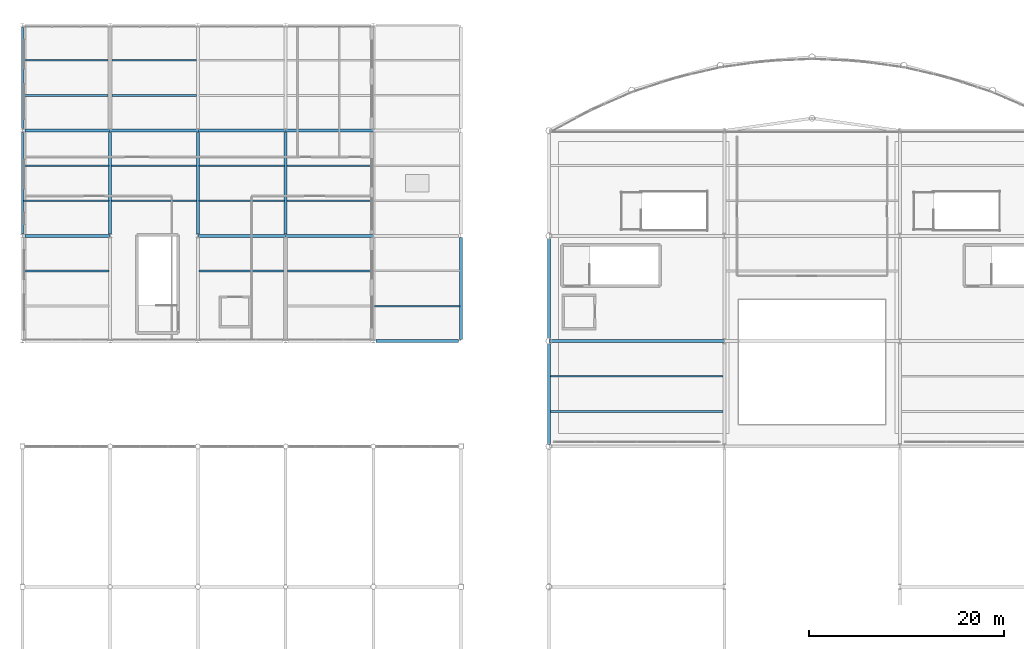
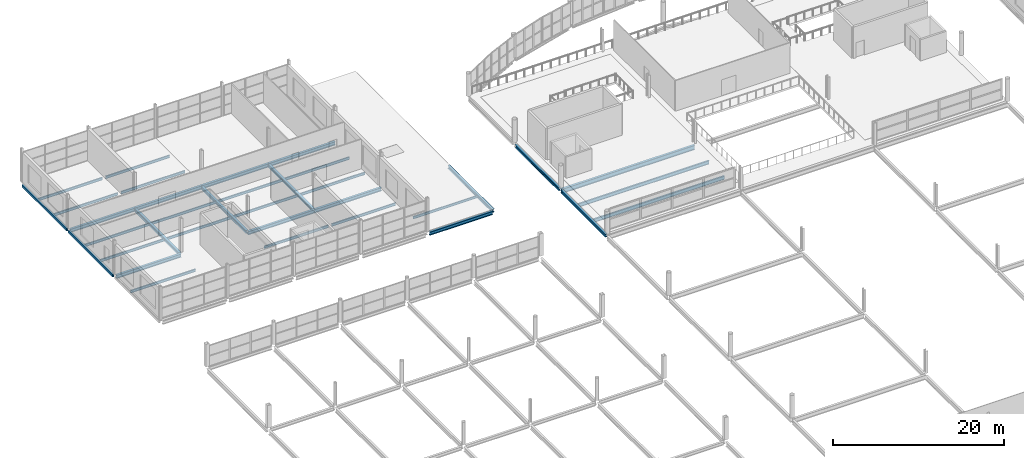
# One storey, part 54 of 134: 35 beams.
"""IFC4 building model written with IfcOpenShell, lengths in metres."""

import ifcopenshell
import ifcopenshell.guid

model = None  # the IFC model being written
_history = None  # IfcOwnerHistory: only IFC2X3 demands one
_inside = {}  # id of a spatial element -> (the spatial element, [elements in it])
_under = {}  # id of a project, library or spatial element -> (it, [spatial elements below it])
_declared = {}  # id of a project -> (the project, [libraries it declares])
_typed = {}  # id of a type object -> (the type object, [elements of that type])
_made_of = {}  # id of a material, layer set ... -> (it, [elements and type objects made of it])


def new_model(schema):
    """Start an empty IFC model of exactly this schema.

    Asked for "IFC4X3", IfcOpenShell would pick the latest addendum, in which some entities
    have other attributes; the version numbers below select the first issue.
    IFC2X3 requires an IfcOwnerHistory on every rooted entity: one is made here for all.
    """
    global model, _history
    if schema == "IFC4X3":
        model = ifcopenshell.file(schema_version=(4, 3, 0, 0))
    else:
        model = ifcopenshell.file(schema=schema)
    _inside.clear()
    _under.clear()
    _declared.clear()
    _typed.clear()
    _made_of.clear()
    _history = None
    if model.schema == "IFC2X3":
        org = make("IfcOrganization", Name="unknown")
        user = make(
            "IfcPersonAndOrganization",
            ThePerson=make("IfcPerson", FamilyName="unknown"),
            TheOrganization=org,
        )
        app = make(
            "IfcApplication",
            ApplicationDeveloper=org,
            Version="unknown",
            ApplicationFullName="unknown",
            ApplicationIdentifier="unknown",
        )
        _history = make(
            "IfcOwnerHistory",
            OwningUser=user,
            OwningApplication=app,
            ChangeAction="ADDED",
            CreationDate=0,
        )
    return model


def make(cls, **values):
    """One entity of the class cls with the attributes given. An attribute that is None is left unset."""
    return model.create_entity(
        cls, **{name: value for name, value in values.items() if value is not None}
    )


def rooted(cls, **values):
    """An entity with a GlobalId (a new one), such as an element, a storey or a relation."""
    return make(cls, GlobalId=ifcopenshell.guid.new(), OwnerHistory=_history, **values)


def si_unit(unit_type, name, prefix=None):
    """IfcSIUnit, for example si_unit("LENGTHUNIT", "METRE", prefix="MILLI")."""
    return make("IfcSIUnit", UnitType=unit_type, Prefix=prefix, Name=name)


def assignment(units):
    """IfcUnitAssignment: the units of a project."""
    return None if units is None else make("IfcUnitAssignment", Units=units)


def point(xyz):
    """IfcCartesianPoint."""
    return None if xyz is None else make("IfcCartesianPoint", Coordinates=xyz)


def direction(xyz):
    """IfcDirection."""
    return None if xyz is None else make("IfcDirection", DirectionRatios=xyz)


def frame(location, z_axis=None, x_axis=None):
    """IfcAxis2Placement3D, a coordinate frame: its origin and axes. An axis left out is left unset."""
    return make(
        "IfcAxis2Placement3D",
        Location=point(location),
        Axis=direction(z_axis),
        RefDirection=direction(x_axis),
    )


def frame_2d(location, x_axis=None):
    """IfcAxis2Placement2D, a coordinate frame in the plane: its origin and x axis."""
    return make(
        "IfcAxis2Placement2D", Location=point(location), RefDirection=direction(x_axis)
    )


def origin():
    """The frame at (0, 0, 0) with its axes left unset."""
    return frame((0.0, 0.0, 0.0))


def origin_2d():
    """The frame at (0, 0) in the plane with its x axis left unset."""
    return frame_2d((0.0, 0.0))


def place(relative_to, where):
    """IfcLocalPlacement: puts the frame where relative to a parent placement (None: the world)."""
    return make(
        "IfcLocalPlacement", PlacementRelTo=relative_to, RelativePlacement=where
    )


def context(
    kind, dimensions, precision=None, world=None, true_north=None, identifier=None
):
    """IfcGeometricRepresentationContext, for example the 3D "Model" context."""
    return make(
        "IfcGeometricRepresentationContext",
        ContextIdentifier=identifier,
        ContextType=kind,
        CoordinateSpaceDimension=dimensions,
        Precision=precision,
        WorldCoordinateSystem=world,
        TrueNorth=true_north,
    )


def subcontext(parent, identifier, kind, view, scale=None):
    """IfcGeometricRepresentationSubContext, for example "Body" below "Model"."""
    return make(
        "IfcGeometricRepresentationSubContext",
        ContextIdentifier=identifier,
        ContextType=kind,
        ParentContext=parent,
        TargetScale=scale,
        TargetView=view,
    )


def project(units=None, contexts=None):
    """IfcProject with its units and contexts."""
    return rooted(
        "IfcProject",
        Name="project",
        RepresentationContexts=contexts,
        UnitsInContext=assignment(units),
    )


def spatial(cls, under=None, at=None, **own):
    """A site, building, storey or space (cls), placed at a placement, below another one or the project."""
    s = rooted(cls, ObjectPlacement=at, **own)
    if under is not None:
        _under.setdefault(under.id(), (under, []))[1].append(s)
    return s


def profile(cls, at=None, kind="AREA", **sizes):
    """A parametric profile (cls). Its sizes go by their IFC names, for example OverallWidth=200.0."""
    return make(cls, ProfileType=kind, Position=at, **sizes)


def hollow_rectangle(**sizes):
    """IfcRectangleHollowProfileDef."""
    return profile("IfcRectangleHollowProfileDef", **sizes)


def i_section(**sizes):
    """IfcIShapeProfileDef."""
    return profile("IfcIShapeProfileDef", **sizes)


def extrude(swept, where, along, depth):
    """IfcExtrudedAreaSolid: the profile swept, set in the frame where, extruded along a direction by depth."""
    return make(
        "IfcExtrudedAreaSolid",
        SweptArea=swept,
        Position=where,
        ExtrudedDirection=direction(along),
        Depth=depth,
    )


def shape(context_of_items, identifier, shape_type, items):
    """IfcShapeRepresentation: the items that make up one representation, for example the "Body"."""
    return make(
        "IfcShapeRepresentation",
        ContextOfItems=context_of_items,
        RepresentationIdentifier=identifier,
        RepresentationType=shape_type,
        Items=items,
    )


def material(Name=None, Category=None):
    """IfcMaterial."""
    return make("IfcMaterial", Name=Name, Category=Category)


def material_profile(
    of_material, cross_section, Name=None, Category=None, Priority=None
):
    """IfcMaterialProfile: a cross section and its material."""
    return make(
        "IfcMaterialProfile",
        Name=Name,
        Material=of_material,
        Profile=cross_section,
        Priority=Priority,
        Category=Category,
    )


def profile_set(profiles, Name=None, composite=None):
    """IfcMaterialProfileSet."""
    return make(
        "IfcMaterialProfileSet",
        Name=Name,
        MaterialProfiles=profiles,
        CompositeProfile=composite,
    )


def made_of(thing, what):
    """Note that an element or type object is made of a material, layer set ...; save() writes the relation."""
    if what is not None:
        _made_of.setdefault(what.id(), (what, []))[1].append(thing)
    return thing


def type_object(cls, material=None, **own):
    """A type object (cls), such as IfcWallType, which elements share."""
    return made_of(rooted(cls, **own), material)


def element(
    cls,
    number,
    at=None,
    inside=None,
    cuts=None,
    type_object=None,
    material=None,
    context=None,
    identifier="Body",
    shape_type=None,
    held_by="IfcProductDefinitionShape",
    body=None,
    shapes=None,
    **own,
):
    """One element of the class cls, such as IfcWall. Its Tag is "e" and its number.

    at: its placement. inside: the storey or other place that contains it. cuts: it is an
    opening in that element (IfcRelVoidsElement). A single representation is given by context,
    identifier, shape_type and body (its items); several are given by shapes. held_by: the class
    of the entity that holds the representations. save() writes the other relations.
    """
    e = rooted(cls, Tag="e%d" % number, ObjectPlacement=at, **own)
    if body is not None:
        shapes = [shape(context, identifier, shape_type, body)]
    if shapes is not None:
        e.Representation = make(held_by, Representations=shapes)
    if inside is not None:
        _inside.setdefault(inside.id(), (inside, []))[1].append(e)
    if cuts is not None:
        rooted(
            "IfcRelVoidsElement", RelatingBuildingElement=cuts, RelatedOpeningElement=e
        )
    if type_object is not None:
        _typed.setdefault(type_object.id(), (type_object, []))[1].append(e)
    return made_of(e, material)


def aggregate(whole, parts):
    """IfcRelAggregates: a whole, such as a stair, and the parts it consists of."""
    return rooted("IfcRelAggregates", RelatingObject=whole, RelatedObjects=parts)


def save(model, path):
    """Write the relations noted so far, then the file.

    IfcRelAggregates (storeys below a building ...), IfcRelContainedInSpatialStructure (elements
    in a storey), IfcRelDefinesByType, IfcRelAssociatesMaterial and IfcRelDeclares: one each for
    every whole, place, type object, material and project.
    """
    for whole, parts in _under.values():
        aggregate(whole, parts)
    for where, things in _inside.values():
        rooted(
            "IfcRelContainedInSpatialStructure",
            RelatedElements=things,
            RelatingStructure=where,
        )
    for kind, things in _typed.values():
        rooted("IfcRelDefinesByType", RelatedObjects=things, RelatingType=kind)
    for what, things in _made_of.values():
        rooted("IfcRelAssociatesMaterial", RelatedObjects=things, RelatingMaterial=what)
    for by, libraries in _declared.values():
        rooted("IfcRelDeclares", RelatingContext=by, RelatedDefinitions=libraries)
    model.write(path)


model = new_model("IFC4")

# Units and contexts
model_context = context("Model", 3, precision=1e-05, world=origin(), true_north=direction((0.0, 1.0)))
body_context = subcontext(model_context, "Body", "Model", "MODEL_VIEW")
ifc_project = project(units=[si_unit("LENGTHUNIT", "METRE"), si_unit("AREAUNIT", "SQUARE_METRE"), si_unit("VOLUMEUNIT", "CUBIC_METRE"), si_unit("PLANEANGLEUNIT", "RADIAN"), si_unit("MASSUNIT", "GRAM", prefix="KILO")], contexts=[model_context])

# Site, building, storey
site_placement = place(None, origin())
site = spatial("IfcSite", under=ifc_project, at=site_placement, CompositionType="ELEMENT")
building_placement = place(site_placement, origin())
building = spatial("IfcBuilding", under=site, at=building_placement, Name="Tamarisk Ironworks Central Station", CompositionType="ELEMENT")
storey_placement = place(building_placement, frame((0.0, 0.0, 12.60009765625)))
storey = spatial("IfcBuildingStorey", under=building, at=storey_placement, Name="L02", CompositionType="ELEMENT", Elevation=12.60009765625)

# Beams
ifc_material = material(Name="Structural steel S355J2", Category="steel")
ifc_material_profile_1 = material_profile(ifc_material, i_section(OverallWidth=0.199951171875, OverallDepth=0.5, WebThickness=0.01025390625, FlangeThickness=0.01611328125, at=origin_2d()), Name="IPE 500")
ifc_profile_set_1 = profile_set([ifc_material_profile_1], Name="Structural steel S355J2")
beam_type_1 = type_object("IfcBeamType", Name="BM-B02", PredefinedType="BEAM", material=ifc_profile_set_1)
for number, where, z_axis, x_axis, name in (
    (1, (54.135009765625, 82.800048828125, -0.530029296875), (1.0, 0.0, 0.0), (0.0, 1.0, 0.0), "L02 secondary composite beam 0117"),
    (2, (54.135009765625, 86.39990234375, -0.530029296875), (1.0, 0.0, 0.0), (0.0, 1.0, 0.0), "L02 secondary composite beam 0118"),
):
    element("IfcBeam", number, at=place(storey_placement, frame(where, z_axis=z_axis, x_axis=x_axis)), inside=storey, type_object=beam_type_1, Name=name, PredefinedType="BEAM", context=body_context, shape_type="SweptSolid", body=[
        extrude(i_section(OverallWidth=0.199951171875, OverallDepth=0.5, WebThickness=0.01025390625, FlangeThickness=0.01611328125, at=origin_2d()), origin(), (0.0, 0.0, 1.0), 17.72998046875),
    ])
ifc_material_profile_2 = material_profile(ifc_material, i_section(OverallWidth=0.169921875, OverallDepth=0.360107421875, WebThickness=0.008056640625, FlangeThickness=0.0126953125, at=origin_2d()), Name="IPE 360")
ifc_profile_set_2 = profile_set([ifc_material_profile_2], Name="Structural steel S355J2")
beam_type_2 = type_object("IfcBeamType", Name="BM-B05", PredefinedType="BEAM", material=ifc_profile_set_2)
for number, where, z_axis, x_axis, name in (
    (3, (0.0849609375, 97.199951171875, -0.43017578125), (1.0, 0.0, 0.0), (0.0, 1.0, 0.0), "L02 secondary composite beam 0131"),
    (4, (0.0849609375, 104.39990234375, -0.43017578125), (1.0, 0.0, 0.0), (0.0, 1.0, 0.0), "L02 secondary composite beam 0132"),
    (5, (0.0849609375, 108.0, -0.43017578125), (1.0, 0.0, 0.0), (0.0, 1.0, 0.0), "L02 secondary composite beam 0133"),
):
    element("IfcBeam", number, at=place(storey_placement, frame(where, z_axis=z_axis, x_axis=x_axis)), inside=storey, type_object=beam_type_2, Name=name, PredefinedType="BEAM", context=body_context, shape_type="SweptSolid", body=[
        extrude(i_section(OverallWidth=0.169921875, OverallDepth=0.360107421875, WebThickness=0.008056640625, FlangeThickness=0.0126953125, at=origin_2d()), origin(), (0.0, 0.0, 1.0), 8.780029296875),
    ])
for number, where, z_axis, x_axis, name in (
    (6, (0.0849609375, 115.199951171875, -0.43017578125), (1.0, 0.0, 0.0), (0.0, 1.0, 0.0), "L02 secondary composite beam 0134"),
    (7, (0.0849609375, 118.800048828125, -0.43017578125), (1.0, 0.0, 0.0), (0.0, 1.0, 0.0), "L02 secondary composite beam 0135"),
):
    element("IfcBeam", number, at=place(storey_placement, frame(where, z_axis=z_axis, x_axis=x_axis)), inside=storey, type_object=beam_type_2, Name=name, PredefinedType="BEAM", context=body_context, shape_type="SweptSolid", body=[
        extrude(i_section(OverallWidth=0.169921875, OverallDepth=0.360107421875, WebThickness=0.008056640625, FlangeThickness=0.0126953125, at=origin_2d()), origin(), (0.0, 0.0, 1.0), 8.715087890625),
    ])
for number, where, z_axis, x_axis, name in (
    (8, (9.135009765625, 104.39990234375, -0.43017578125), (1.0, 0.0, 0.0), (0.0, 1.0, 0.0), "L02 secondary composite beam 0136"),
    (9, (9.135009765625, 108.0, -0.43017578125), (1.0, 0.0, 0.0), (0.0, 1.0, 0.0), "L02 secondary composite beam 0137"),
):
    element("IfcBeam", number, at=place(storey_placement, frame(where, z_axis=z_axis, x_axis=x_axis)), inside=storey, type_object=beam_type_2, Name=name, PredefinedType="BEAM", context=body_context, shape_type="SweptSolid", body=[
        extrude(i_section(OverallWidth=0.169921875, OverallDepth=0.360107421875, WebThickness=0.008056640625, FlangeThickness=0.0126953125, at=origin_2d()), origin(), (0.0, 0.0, 1.0), 8.72998046875),
    ])
for number, where, z_axis, x_axis, name in (
    (10, (9.199951171875, 115.199951171875, -0.43017578125), (1.0, 0.0, 0.0), (0.0, 1.0, 0.0), "L02 secondary composite beam 0138"),
    (11, (9.199951171875, 118.800048828125, -0.43017578125), (1.0, 0.0, 0.0), (0.0, 1.0, 0.0), "L02 secondary composite beam 0139"),
    (12, (18.135009765625, 97.199951171875, -0.43017578125), (1.0, 0.0, 0.0), (0.0, 1.0, 0.0), "L02 secondary composite beam 0140"),
):
    element("IfcBeam", number, at=place(storey_placement, frame(where, z_axis=z_axis, x_axis=x_axis)), inside=storey, type_object=beam_type_2, Name=name, PredefinedType="BEAM", context=body_context, shape_type="SweptSolid", body=[
        extrude(i_section(OverallWidth=0.169921875, OverallDepth=0.360107421875, WebThickness=0.008056640625, FlangeThickness=0.0126953125, at=origin_2d()), origin(), (0.0, 0.0, 1.0), 8.6650390625),
    ])
for number, where, z_axis, x_axis, name in (
    (13, (18.135009765625, 104.39990234375, -0.43017578125), (1.0, 0.0, 0.0), (0.0, 1.0, 0.0), "L02 secondary composite beam 0141"),
    (14, (18.135009765625, 108.0, -0.43017578125), (1.0, 0.0, 0.0), (0.0, 1.0, 0.0), "L02 secondary composite beam 0142"),
):
    element("IfcBeam", number, at=place(storey_placement, frame(where, z_axis=z_axis, x_axis=x_axis)), inside=storey, type_object=beam_type_2, Name=name, PredefinedType="BEAM", context=body_context, shape_type="SweptSolid", body=[
        extrude(i_section(OverallWidth=0.169921875, OverallDepth=0.360107421875, WebThickness=0.008056640625, FlangeThickness=0.0126953125, at=origin_2d()), origin(), (0.0, 0.0, 1.0), 8.72998046875),
    ])
beam_1_placement = place(storey_placement, frame((27.199951171875, 97.199951171875, -0.43017578125), z_axis=(1.0, 0.0, 0.0), x_axis=(0.0, 1.0, 0.0)))
element("IfcBeam", 15, at=beam_1_placement, inside=storey, type_object=beam_type_2, Name="L02 secondary composite beam 0146", PredefinedType="BEAM", context=body_context, shape_type="SweptSolid", body=[
    extrude(i_section(OverallWidth=0.169921875, OverallDepth=0.360107421875, WebThickness=0.008056640625, FlangeThickness=0.0126953125, at=origin_2d()), origin(), (0.0, 0.0, 1.0), 8.6650390625),
])
for number, where, z_axis, x_axis, name in (
    (16, (27.135009765625, 104.39990234375, -0.43017578125), (1.0, 0.0, 0.0), (0.0, 1.0, 0.0), "L02 secondary composite beam 0147"),
    (17, (27.135009765625, 108.0, -0.43017578125), (1.0, 0.0, 0.0), (0.0, 1.0, 0.0), "L02 secondary composite beam 0148"),
):
    element("IfcBeam", number, at=place(storey_placement, frame(where, z_axis=z_axis, x_axis=x_axis)), inside=storey, type_object=beam_type_2, Name=name, PredefinedType="BEAM", context=body_context, shape_type="SweptSolid", body=[
        extrude(i_section(OverallWidth=0.169921875, OverallDepth=0.360107421875, WebThickness=0.008056640625, FlangeThickness=0.0126953125, at=origin_2d()), origin(), (0.0, 0.0, 1.0), 8.72998046875),
    ])
ifc_material_profile_3 = material_profile(ifc_material, i_section(OverallWidth=0.159912109375, OverallDepth=0.330078125, WebThickness=0.007568359375, FlangeThickness=0.011474609375, at=origin_2d()), Name="IPE 330")
ifc_profile_set_3 = profile_set([ifc_material_profile_3], Name="Structural steel S355J2")
beam_type_3 = type_object("IfcBeamType", Name="BM-B06", PredefinedType="BEAM", material=ifc_profile_set_3)
beam_2_placement = place(storey_placement, frame((36.135009765625, 93.60009765625, -0.3251953125), z_axis=(1.0, 0.0, 0.0), x_axis=(0.0, 1.0, 0.0)))
element("IfcBeam", 18, at=beam_2_placement, inside=storey, type_object=beam_type_3, Name="L02 secondary composite beam 0151", PredefinedType="BEAM", context=body_context, shape_type="SweptSolid", body=[
    extrude(i_section(OverallWidth=0.159912109375, OverallDepth=0.330078125, WebThickness=0.007568359375, FlangeThickness=0.011474609375, at=origin_2d()), origin(), (0.0, 0.0, 1.0), 8.72998046875),
])
ifc_material_profile_4 = material_profile(ifc_material, i_section(OverallWidth=0.300048828125, OverallDepth=0.639892578125, WebThickness=0.013427734375, FlangeThickness=0.02587890625, at=origin_2d()), Name="HEA 650")
ifc_profile_set_4 = profile_set([ifc_material_profile_4], Name="Structural steel S355J2")
beam_type_4 = type_object("IfcBeamType", Name="BM-G02", PredefinedType="BEAM", material=ifc_profile_set_4)
beam_3_placement = place(storey_placement, frame((54.00390625, 90.0, -0.60009765625), z_axis=(1.0, 0.0, 0.0), x_axis=(0.0, 1.0, 0.0)))
element("IfcBeam", 19, at=beam_3_placement, inside=storey, type_object=beam_type_4, Name="L02 primary girder X-0373", PredefinedType="BEAM", context=body_context, shape_type="SweptSolid", body=[
    extrude(i_section(OverallWidth=0.300048828125, OverallDepth=0.639892578125, WebThickness=0.013427734375, FlangeThickness=0.02587890625, at=origin_2d()), origin(), (0.0, 0.0, 1.0), 17.9921875),
])
ifc_material_profile_5 = material_profile(ifc_material, i_section(OverallWidth=0.300048828125, OverallDepth=0.489990234375, WebThickness=0.011962890625, FlangeThickness=0.02294921875, at=origin_2d()), Name="HEA 500")
ifc_profile_set_5 = profile_set([ifc_material_profile_5], Name="Structural steel S355J2")
beam_type_5 = type_object("IfcBeamType", Name="BM-G05", PredefinedType="BEAM", material=ifc_profile_set_5)
beam_4_placement = place(storey_placement, frame((36.262939453125, 90.0, -0.405029296875), z_axis=(1.0, 0.0, 0.0), x_axis=(0.0, 1.0, 0.0)))
element("IfcBeam", 20, at=beam_4_placement, inside=storey, type_object=beam_type_5, Name="L02 primary girder X-0372", PredefinedType="BEAM", context=body_context, shape_type="SweptSolid", body=[
    extrude(i_section(OverallWidth=0.300048828125, OverallDepth=0.489990234375, WebThickness=0.011962890625, FlangeThickness=0.02294921875, at=origin_2d()), origin(), (0.0, 0.0, 1.0), 8.47412109375),
])
beam_5_placement = place(storey_placement, frame((0.262939453125, 100.800048828125, -0.4951171875), z_axis=(1.0, 0.0, 0.0), x_axis=(0.0, 1.0, 0.0)))
element("IfcBeam", 21, at=beam_5_placement, inside=storey, type_object=beam_type_5, Name="L02 primary girder X-0381", PredefinedType="BEAM", context=body_context, shape_type="SweptSolid", body=[
    extrude(i_section(OverallWidth=0.300048828125, OverallDepth=0.489990234375, WebThickness=0.011962890625, FlangeThickness=0.02294921875, at=origin_2d()), origin(), (0.0, 0.0, 1.0), 8.733154296875),
])
for number, where, z_axis, x_axis, name in (
    (22, (18.00390625, 100.800048828125, -0.4951171875), (1.0, 0.0, 0.0), (0.0, 1.0, 0.0), "L02 primary girder X-0382"),
    (23, (27.00390625, 100.800048828125, -0.4951171875), (1.0, 0.0, 0.0), (0.0, 1.0, 0.0), "L02 primary girder X-0383"),
):
    element("IfcBeam", number, at=place(storey_placement, frame(where, z_axis=z_axis, x_axis=x_axis)), inside=storey, type_object=beam_type_5, Name=name, PredefinedType="BEAM", context=body_context, shape_type="SweptSolid", body=[
        extrude(i_section(OverallWidth=0.300048828125, OverallDepth=0.489990234375, WebThickness=0.011962890625, FlangeThickness=0.02294921875, at=origin_2d()), origin(), (0.0, 0.0, 1.0), 8.9921875),
    ])
beam_6_placement = place(storey_placement, frame((0.262939453125, 111.60009765625, -0.4951171875), z_axis=(1.0, 0.0, 0.0), x_axis=(0.0, 1.0, 0.0)))
element("IfcBeam", 24, at=beam_6_placement, inside=storey, type_object=beam_type_5, Name="L02 primary girder X-0393", PredefinedType="BEAM", context=body_context, shape_type="SweptSolid", body=[
    extrude(i_section(OverallWidth=0.300048828125, OverallDepth=0.489990234375, WebThickness=0.011962890625, FlangeThickness=0.02294921875, at=origin_2d()), origin(), (0.0, 0.0, 1.0), 8.733154296875),
])
for number, where, z_axis, x_axis, name in (
    (25, (9.00390625, 111.60009765625, -0.4951171875), (1.0, 0.0, 0.0), (0.0, 1.0, 0.0), "L02 primary girder X-0394"),
    (26, (18.00390625, 111.60009765625, -0.4951171875), (1.0, 0.0, 0.0), (0.0, 1.0, 0.0), "L02 primary girder X-0395"),
    (27, (27.00390625, 111.60009765625, -0.4951171875), (1.0, 0.0, 0.0), (0.0, 1.0, 0.0), "L02 primary girder X-0396"),
):
    element("IfcBeam", number, at=place(storey_placement, frame(where, z_axis=z_axis, x_axis=x_axis)), inside=storey, type_object=beam_type_5, Name=name, PredefinedType="BEAM", context=body_context, shape_type="SweptSolid", body=[
        extrude(i_section(OverallWidth=0.300048828125, OverallDepth=0.489990234375, WebThickness=0.011962890625, FlangeThickness=0.02294921875, at=origin_2d()), origin(), (0.0, 0.0, 1.0), 8.9921875),
    ])
ifc_material_profile_6 = material_profile(ifc_material, i_section(OverallWidth=0.300048828125, OverallDepth=0.43994140625, WebThickness=0.011474609375, FlangeThickness=0.02099609375, at=origin_2d()), Name="HEA 450")
ifc_profile_set_6 = profile_set([ifc_material_profile_6], Name="Structural steel S355J2")
beam_type_6 = type_object("IfcBeamType", Name="BM-G06", PredefinedType="BEAM", material=ifc_profile_set_6)
for number, where, z_axis, x_axis, name in (
    (28, (9.0, 100.988037109375, -0.47021484375), (0.0, 1.0, 0.0), (-1.0, 0.0, 0.0), "L02 primary girder Y-0428"),
    (29, (18.0, 100.988037109375, -0.47021484375), (0.0, 1.0, 0.0), (-1.0, 0.0, 0.0), "L02 primary girder Y-0434"),
    (30, (27.0, 100.988037109375, -0.47021484375), (0.0, 1.0, 0.0), (-1.0, 0.0, 0.0), "L02 primary girder Y-0440"),
    (31, (45.0, 90.18798828125, -0.380126953125), (0.0, 1.0, 0.0), (-1.0, 0.0, 0.0), "L02 primary girder Y-0453"),
):
    element("IfcBeam", number, at=place(storey_placement, frame(where, z_axis=z_axis, x_axis=x_axis)), inside=storey, type_object=beam_type_6, Name=name, PredefinedType="BEAM", context=body_context, shape_type="SweptSolid", body=[
        extrude(i_section(OverallWidth=0.300048828125, OverallDepth=0.43994140625, WebThickness=0.011474609375, FlangeThickness=0.02099609375, at=origin_2d()), origin(), (0.0, 0.0, 1.0), 10.424072265625),
    ])
beam_7_placement = place(storey_placement, frame((54.0, 79.39599609375, -0.5), z_axis=(0.0, 1.0, 0.0), x_axis=(-1.0, 0.0, 0.0)))
element("IfcBeam", 32, at=beam_7_placement, inside=storey, type_object=beam_type_6, Name="L02 primary girder Y-0461", PredefinedType="BEAM", context=body_context, shape_type="SweptSolid", body=[
    extrude(i_section(OverallWidth=0.300048828125, OverallDepth=0.43994140625, WebThickness=0.011474609375, FlangeThickness=0.02099609375, at=origin_2d()), origin(), (0.0, 0.0, 1.0), 10.31591796875),
])
beam_8_placement = place(storey_placement, frame((54.0, 90.2880859375, -0.5), z_axis=(0.0, 1.0, 0.0), x_axis=(-1.0, 0.0, 0.0)))
element("IfcBeam", 33, at=beam_8_placement, inside=storey, type_object=beam_type_6, Name="L02 primary girder Y-0462", PredefinedType="BEAM", context=body_context, shape_type="SweptSolid", body=[
    extrude(i_section(OverallWidth=0.300048828125, OverallDepth=0.43994140625, WebThickness=0.011474609375, FlangeThickness=0.02099609375, at=origin_2d()), origin(), (0.0, 0.0, 1.0), 10.223876953125),
])
ifc_material_profile_7 = material_profile(ifc_material, hollow_rectangle(XDim=0.199951171875, YDim=0.35009765625, WallThickness=0.012451171875, at=origin_2d()), Name="RHS 350x200x12.5")
ifc_profile_set_7 = profile_set([ifc_material_profile_7], Name="Structural steel S355J2")
beam_type_7 = type_object("IfcBeamType", Name="BM-SP01", PredefinedType="SPANDREL", material=ifc_profile_set_7)
beam_9_placement = place(storey_placement, frame((0.0, 100.988037109375, -0.425048828125), z_axis=(0.0, 1.0, 0.0), x_axis=(-1.0, 0.0, 0.0)))
element("IfcBeam", 34, at=beam_9_placement, inside=storey, type_object=beam_type_7, Name="L02 primary girder Y-0421", PredefinedType="SPANDREL", context=body_context, shape_type="SweptSolid", body=[
    extrude(hollow_rectangle(XDim=0.199951171875, YDim=0.35009765625, WallThickness=0.012451171875, at=origin_2d()), origin(), (0.0, 0.0, 1.0), 10.424072265625),
])
beam_10_placement = place(storey_placement, frame((0.0, 111.7880859375, -0.425048828125), z_axis=(0.0, 1.0, 0.0), x_axis=(-1.0, 0.0, 0.0)))
element("IfcBeam", 35, at=beam_10_placement, inside=storey, type_object=beam_type_7, Name="L02 primary girder Y-0422", PredefinedType="SPANDREL", context=body_context, shape_type="SweptSolid", body=[
    extrude(hollow_rectangle(XDim=0.199951171875, YDim=0.35009765625, WallThickness=0.012451171875, at=origin_2d()), origin(), (0.0, 0.0, 1.0), 10.423828125),
])

save(model, "model.ifc")
